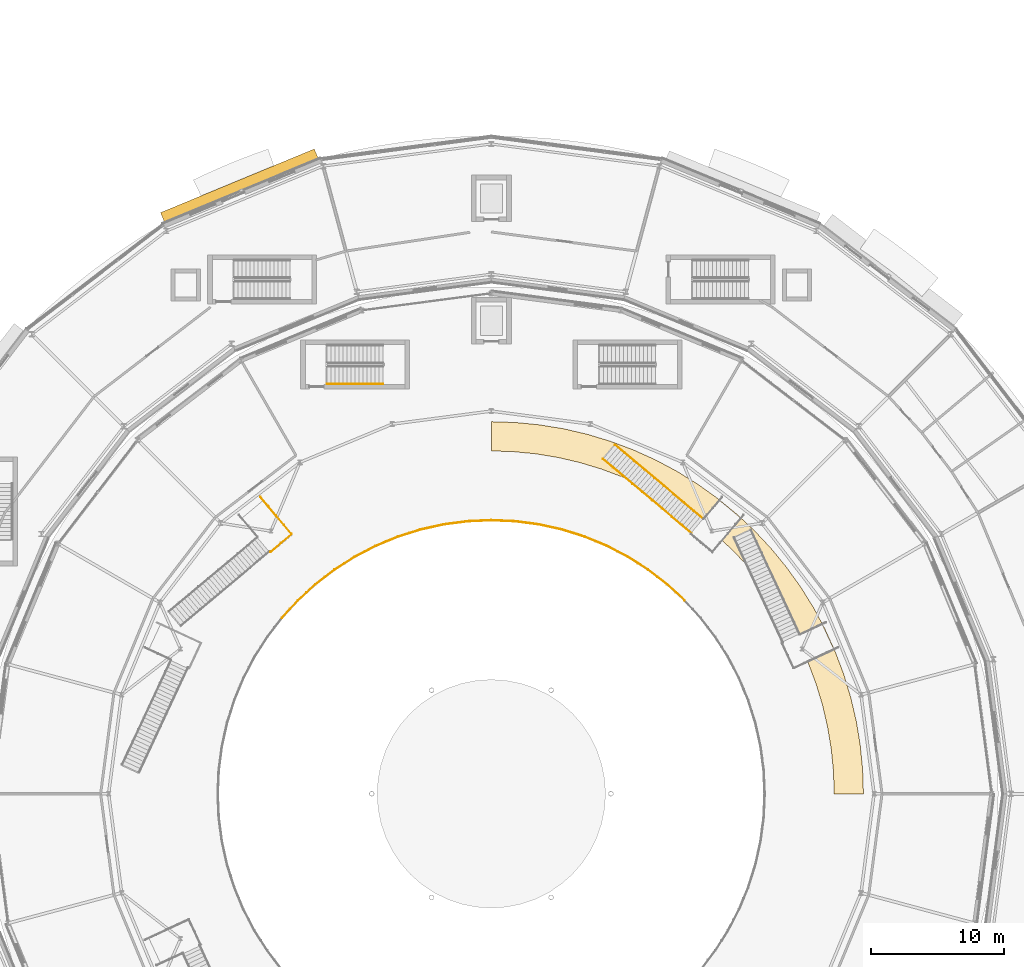
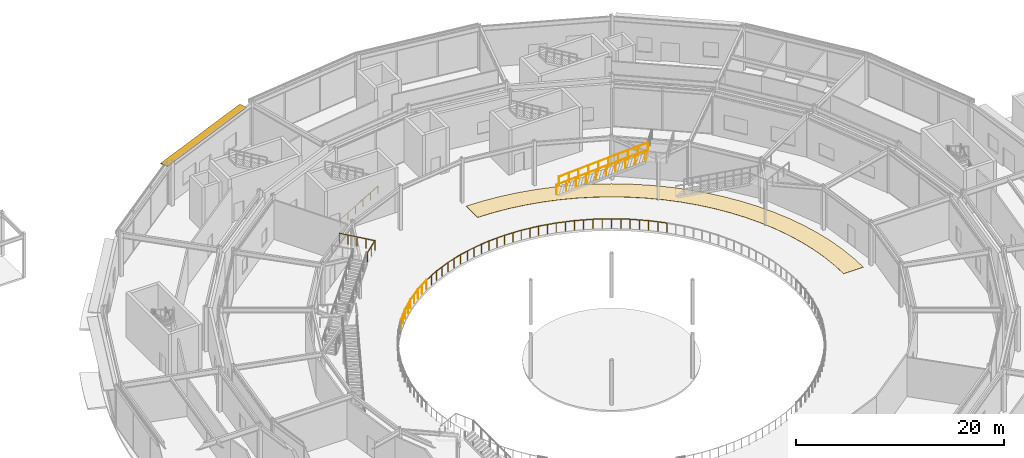
# One storey, part 158 of 168: 23 railings, 1 covering, 1 shading device.
"""IFC4 building model written with IfcOpenShell, lengths in metres."""

from ifc_helpers import new_model, si_unit, direction, frame, origin, origin_2d, place, context, subcontext, project, spatial, polyline, rectangle, circle, outline, extrude, material, layer, layer_set, type_object, element, save


model = new_model("IFC4")

# Units and contexts
model_context = context("Model", 3, precision=1e-05, world=origin(), true_north=direction((0.0, 1.0)))
body_context = subcontext(model_context, "Body", "Model", "MODEL_VIEW")
ifc_project = project(units=[si_unit("LENGTHUNIT", "METRE"), si_unit("AREAUNIT", "SQUARE_METRE"), si_unit("VOLUMEUNIT", "CUBIC_METRE"), si_unit("PLANEANGLEUNIT", "RADIAN"), si_unit("MASSUNIT", "GRAM", prefix="KILO")], contexts=[model_context])

# Site, building, storey
site_placement = place(None, origin())
site = spatial("IfcSite", under=ifc_project, at=site_placement, CompositionType="ELEMENT")
building_placement = place(site_placement, origin())
building = spatial("IfcBuilding", under=site, at=building_placement, Name="Almandine Court Research Institute", CompositionType="ELEMENT")
storey_placement = place(building_placement, origin())
storey = spatial("IfcBuildingStorey", under=building, at=storey_placement, Name="L00", CompositionType="ELEMENT", Elevation=0.0)

# Covering
ifc_material_1 = material(Name="Honed Andean Basalt Atrium Stone Flooring", Category="masonry")
ifc_layer_1 = layer(ifc_material_1, 0.02001953125)
ifc_layer_set_1 = layer_set([ifc_layer_1], Name="Honed Andean Basalt Atrium Stone Flooring")
covering_type = type_object("IfcCoveringType", Name="Cov-FLR-STONE", PredefinedType="FLOORING", material=ifc_layer_set_1)
covering_placement = place(storey_placement, origin())
element("IfcCovering", 1, at=covering_placement, inside=storey, type_object=covering_type, Name="L00 Atrium Promenade Basalt Stone Flooring", PredefinedType="FLOORING", context=body_context, shape_type="SweptSolid", body=[
    extrude(outline(polyline([(115.0, 56.0), (114.93994140625, 57.8310546875), (114.760009765625, 59.655029296875), (114.4619140625, 61.462890625), (114.0458984375, 63.2470703125), (113.513916015625, 65.0), (112.868896484375, 66.715087890625), (112.112060546875, 68.384033203125), (111.2490234375, 70.0), (110.281005859375, 71.555908203125), (109.214111328125, 73.044921875), (108.052001953125, 74.4619140625), (106.799072265625, 75.799072265625), (105.4619140625, 77.052001953125), (104.044921875, 78.214111328125), (102.555908203125, 79.281005859375), (101.0, 80.2490234375), (99.384033203125, 81.112060546875), (97.715087890625, 81.868896484375), (96.0, 82.513916015625), (94.2470703125, 83.0458984375), (92.462890625, 83.4619140625), (90.655029296875, 83.760009765625), (88.8310546875, 83.93994140625), (87.0, 84.0), (87.0, 81.800048828125), (88.68701171875, 81.7451171875), (90.367919921875, 81.5791015625), (92.032958984375, 81.303955078125), (93.677978515625, 80.9208984375), (95.29296875, 80.430908203125), (96.873046875, 79.8359375), (98.410888671875, 79.138916015625), (99.89990234375, 78.343017578125), (101.333984375, 77.451904296875), (102.7060546875, 76.468994140625), (104.010986328125, 75.39697265625), (105.242919921875, 74.242919921875), (106.39697265625, 73.010986328125), (107.468994140625, 71.7060546875), (108.451904296875, 70.333984375), (109.343017578125, 68.89990234375), (110.138916015625, 67.410888671875), (110.8359375, 65.873046875), (111.430908203125, 64.29296875), (111.9208984375, 62.677978515625), (112.303955078125, 61.032958984375), (112.5791015625, 59.367919921875), (112.7451171875, 57.68701171875), (112.800048828125, 56.0), (115.0, 56.0)])), origin(), (0.0, 0.0, 1.0), 0.02001953125),
])

# Railings
ifc_material_2 = material(Name="Powder-Coated Steel Stair and Atrium Balustrade", Category="steel")
railing_type_1 = type_object("IfcRailingType", Name="Rail-GUARD-INT", PredefinedType="BALUSTRADE", material=ifc_material_2)
railing_1_placement = place(storey_placement, frame((95.407958984375, 81.18896484375, 0.175048828125)))
element("IfcRailing", 2, at=railing_1_placement, inside=storey, type_object=railing_type_1, Name="L00 ST-AT-02 Flight Guard IN", PredefinedType="BALUSTRADE", context=body_context, shape_type="SweptSolid", body=[
    extrude(circle(Radius=0.02392578125, at=origin_2d()), frame((0.0, 0.0, 1.09619140625), z_axis=(0.66169197535, -0.555263789864, 0.503831175517), x_axis=(0.642813626656, 0.766022611537, 0.0)), (0.0, 0.0, 1.0), 10.07275390625),
    extrude(circle(Radius=0.02099609375, at=origin_2d()), origin(), (0.0, 0.0, 1.0), 1.072021484375),
    extrude(circle(Radius=0.02099609375, at=origin_2d()), frame((0.740478515625, -0.621337890625, 0.56396484375)), (0.0, 0.0, 1.0), 1.072021484375),
    extrude(circle(Radius=0.02099609375, at=origin_2d()), frame((1.481201171875, -1.242919921875, 1.127685546875)), (0.0, 0.0, 1.0), 1.072021484375),
    extrude(circle(Radius=0.02099609375, at=origin_2d()), frame((2.2216796875, -1.8642578125, 1.691650390625)), (0.0, 0.0, 1.0), 1.072021484375),
    extrude(circle(Radius=0.02099609375, at=origin_2d()), frame((2.962158203125, -2.48583984375, 2.255615234375)), (0.0, 0.0, 1.0), 1.072021484375),
    extrude(circle(Radius=0.02099609375, at=origin_2d()), frame((3.702880859375, -3.107177734375, 2.8193359375)), (0.0, 0.0, 1.0), 1.072021484375),
    extrude(circle(Radius=0.02099609375, at=origin_2d()), frame((4.443359375, -3.728759765625, 3.38330078125)), (0.0, 0.0, 1.0), 1.072021484375),
    extrude(circle(Radius=0.02099609375, at=origin_2d()), frame((5.183837890625, -4.35009765625, 3.947265625)), (0.0, 0.0, 1.0), 1.072021484375),
    extrude(circle(Radius=0.02099609375, at=origin_2d()), frame((5.924560546875, -4.9716796875, 4.510986328125)), (0.0, 0.0, 1.0), 1.072021484375),
    extrude(circle(Radius=0.02099609375, at=origin_2d()), frame((6.6650390625, -5.593017578125, 5.074951171875)), (0.0, 0.0, 1.0), 1.072021484375),
])
railing_2_placement = place(storey_placement, frame((96.30810546875, 82.260986328125, 0.175048828125)))
element("IfcRailing", 3, at=railing_2_placement, inside=storey, type_object=railing_type_1, Name="L00 ST-AT-02 Flight Guard OUT", PredefinedType="BALUSTRADE", context=body_context, shape_type="SweptSolid", body=[
    extrude(circle(Radius=0.02392578125, at=origin_2d()), frame((0.0, 0.0, 1.09619140625), z_axis=(0.661659462093, -0.555241252216, 0.503898708135), x_axis=(0.642816850874, 0.766019905898, 0.0)), (0.0, 0.0, 1.0), 10.0712890625),
    extrude(circle(Radius=0.02099609375, at=origin_2d()), origin(), (0.0, 0.0, 1.0), 1.072021484375),
    extrude(circle(Radius=0.02099609375, at=origin_2d()), frame((0.740478515625, -0.621337890625, 0.56396484375)), (0.0, 0.0, 1.0), 1.072021484375),
    extrude(circle(Radius=0.02099609375, at=origin_2d()), frame((1.48095703125, -1.24267578125, 1.127685546875)), (0.0, 0.0, 1.0), 1.072021484375),
    extrude(circle(Radius=0.02099609375, at=origin_2d()), frame((2.22119140625, -1.864013671875, 1.691650390625)), (0.0, 0.0, 1.0), 1.072021484375),
    extrude(circle(Radius=0.02099609375, at=origin_2d()), frame((2.961669921875, -2.4853515625, 2.255615234375)), (0.0, 0.0, 1.0), 1.072021484375),
    extrude(circle(Radius=0.02099609375, at=origin_2d()), frame((3.7021484375, -3.106689453125, 2.8193359375)), (0.0, 0.0, 1.0), 1.072021484375),
    extrude(circle(Radius=0.02099609375, at=origin_2d()), frame((4.442626953125, -3.72802734375, 3.38330078125)), (0.0, 0.0, 1.0), 1.072021484375),
    extrude(circle(Radius=0.02099609375, at=origin_2d()), frame((5.182861328125, -4.349365234375, 3.947265625)), (0.0, 0.0, 1.0), 1.072021484375),
    extrude(circle(Radius=0.02099609375, at=origin_2d()), frame((5.92333984375, -4.970703125, 4.510986328125)), (0.0, 0.0, 1.0), 1.072021484375),
    extrude(circle(Radius=0.02099609375, at=origin_2d()), frame((6.663818359375, -5.592041015625, 5.074951171875)), (0.0, 0.0, 1.0), 1.072021484375),
])
railing_3_placement = place(storey_placement, frame((70.3701171875, 74.18505859375, 5.25)))
element("IfcRailing", 4, at=railing_3_placement, inside=storey, type_object=railing_type_1, Name="L00 ST-AT-03 Landing Outer Wrap Guard", PredefinedType="BALUSTRADE", context=body_context, shape_type="SweptSolid", body=[
    extrude(circle(Radius=0.02392578125, at=origin_2d()), frame((0.0, 0.0, 1.09619140625), z_axis=(0.766082597261, 0.64274213661, 0.0), x_axis=(-0.64274213661, 0.766082597261, 0.0)), (0.0, 0.0, 1.0), 2.10009765625),
    extrude(circle(Radius=0.02392578125, at=origin_2d()), frame((1.60888671875, 1.349853515625, 1.09619140625), z_axis=(-0.642791587451, 0.766041105361, 0.0), x_axis=(-0.766041105361, -0.642791587451, 0.0)), (0.0, 0.0, 1.0), 3.66064453125),
    extrude(circle(Radius=0.02099609375, at=origin_2d()), origin(), (0.0, 0.0, 1.0), 1.072021484375),
    extrude(circle(Radius=0.02099609375, at=origin_2d()), frame((0.804443359375, 0.6748046875, 0.0)), (0.0, 0.0, 1.0), 1.072021484375),
    extrude(circle(Radius=0.02099609375, at=origin_2d()), frame((1.60888671875, 1.349853515625, 0.0)), (0.0, 0.0, 1.0), 1.072021484375),
    extrude(circle(Radius=0.02099609375, at=origin_2d()), frame((1.0205078125, 2.05078125, 0.0)), (0.0, 0.0, 1.0), 1.072021484375),
    extrude(circle(Radius=0.02099609375, at=origin_2d()), frame((0.432373046875, 2.751953125, 0.0)), (0.0, 0.0, 1.0), 1.072021484375),
    extrude(circle(Radius=0.02099609375, at=origin_2d()), frame((-0.15576171875, 3.453125, 0.0)), (0.0, 0.0, 1.0), 1.072021484375),
    extrude(circle(Radius=0.02099609375, at=origin_2d()), frame((-0.744140625, 4.154052734375, 0.0)), (0.0, 0.0, 1.0), 1.072021484375),
])
railing_4_placement = place(storey_placement, frame((101.552001953125, 70.552001953125, 0.0)))
element("IfcRailing", 5, at=railing_4_placement, inside=storey, type_object=railing_type_1, Name="L00 Central Hauz Rainwater Court Balustrade 10", PredefinedType="BALUSTRADE", context=body_context, shape_type="SweptSolid", body=[
    extrude(circle(Radius=0.02392578125, at=origin_2d()), frame((0.0, 0.0, 1.09619140625), z_axis=(-0.737114614955, 0.675767744436, 0.0), x_axis=(-0.675767744436, -0.737114614955, 0.0)), (0.0, 0.0, 1.0), 1.794921875),
    extrude(circle(Radius=0.02099609375, at=origin_2d()), origin(), (0.0, 0.0, 1.0), 1.072021484375),
    extrude(circle(Radius=0.02099609375, at=origin_2d()), frame((-0.66162109375, 0.6064453125, 0.0)), (0.0, 0.0, 1.0), 1.072021484375),
    extrude(circle(Radius=0.02099609375, at=origin_2d()), frame((-1.322998046875, 1.212890625, 0.0)), (0.0, 0.0, 1.0), 1.072021484375),
])
railing_5_placement = place(storey_placement, frame((100.22900390625, 71.764892578125, 0.0)))
element("IfcRailing", 6, at=railing_5_placement, inside=storey, type_object=railing_type_1, Name="L00 Central Hauz Rainwater Court Balustrade 11", PredefinedType="BALUSTRADE", context=body_context, shape_type="SweptSolid", body=[
    extrude(circle(Radius=0.02392578125, at=origin_2d()), frame((0.0, 0.0, 1.09619140625), z_axis=(-0.793477253487, 0.608599908148, 0.0), x_axis=(-0.608599908148, -0.793477253487, 0.0)), (0.0, 0.0, 1.0), 1.7958984375),
    extrude(circle(Radius=0.02099609375, at=origin_2d()), origin(), (0.0, 0.0, 1.0), 1.072021484375),
    extrude(circle(Radius=0.02099609375, at=origin_2d()), frame((-0.71240234375, 0.54638671875, 0.0)), (0.0, 0.0, 1.0), 1.072021484375),
    extrude(circle(Radius=0.02099609375, at=origin_2d()), frame((-1.425048828125, 1.093017578125, 0.0)), (0.0, 0.0, 1.0), 1.072021484375),
])
railing_6_placement = place(storey_placement, frame((98.803955078125, 72.85791015625, 0.0)))
element("IfcRailing", 7, at=railing_6_placement, inside=storey, type_object=railing_type_1, Name="L00 Central Hauz Rainwater Court Balustrade 12", PredefinedType="BALUSTRADE", context=body_context, shape_type="SweptSolid", body=[
    extrude(circle(Radius=0.02392578125, at=origin_2d()), frame((0.0, 0.0, 1.09619140625), z_axis=(-0.843235673336, 0.537544043976, 0.0), x_axis=(-0.537544043976, -0.843235673336, 0.0)), (0.0, 0.0, 1.0), 1.79541015625),
    extrude(circle(Radius=0.02099609375, at=origin_2d()), origin(), (0.0, 0.0, 1.0), 1.072021484375),
    extrude(circle(Radius=0.02099609375, at=origin_2d()), frame((-0.7568359375, 0.482421875, 0.0)), (0.0, 0.0, 1.0), 1.072021484375),
    extrude(circle(Radius=0.02099609375, at=origin_2d()), frame((-1.513916015625, 0.965087890625, 0.0)), (0.0, 0.0, 1.0), 1.072021484375),
])
railing_7_placement = place(storey_placement, frame((97.2900390625, 73.822998046875, 0.0)))
element("IfcRailing", 8, at=railing_7_placement, inside=storey, type_object=railing_type_1, Name="L00 Central Hauz Rainwater Court Balustrade 13", PredefinedType="BALUSTRADE", context=body_context, shape_type="SweptSolid", body=[
    extrude(circle(Radius=0.02392578125, at=origin_2d()), frame((0.0, 0.0, 1.09619140625), z_axis=(-0.887049806538, 0.461673738391, 0.0), x_axis=(-0.461673738391, -0.887049806538, 0.0)), (0.0, 0.0, 1.0), 1.7958984375),
    extrude(circle(Radius=0.02099609375, at=origin_2d()), origin(), (0.0, 0.0, 1.0), 1.072021484375),
    extrude(circle(Radius=0.02099609375, at=origin_2d()), frame((-0.79638671875, 0.41455078125, 0.0)), (0.0, 0.0, 1.0), 1.072021484375),
    extrude(circle(Radius=0.02099609375, at=origin_2d()), frame((-1.593017578125, 0.8291015625, 0.0)), (0.0, 0.0, 1.0), 1.072021484375),
])
railing_8_placement = place(storey_placement, frame((95.697021484375, 74.652099609375, 0.0)))
element("IfcRailing", 9, at=railing_8_placement, inside=storey, type_object=railing_type_1, Name="L00 Central Hauz Rainwater Court Balustrade 14", PredefinedType="BALUSTRADE", context=body_context, shape_type="SweptSolid", body=[
    extrude(circle(Radius=0.02392578125, at=origin_2d()), frame((0.0, 0.0, 1.09619140625), z_axis=(-0.923827786903, 0.382808333433, 0.0), x_axis=(-0.382808333433, -0.923827786903, 0.0)), (0.0, 0.0, 1.0), 1.794677734375),
    extrude(circle(Radius=0.02099609375, at=origin_2d()), origin(), (0.0, 0.0, 1.0), 1.072021484375),
    extrude(circle(Radius=0.02099609375, at=origin_2d()), frame((-0.8291015625, 0.343505859375, 0.0)), (0.0, 0.0, 1.0), 1.072021484375),
    extrude(circle(Radius=0.02099609375, at=origin_2d()), frame((-1.657958984375, 0.68701171875, 0.0)), (0.0, 0.0, 1.0), 1.072021484375),
])
railing_9_placement = place(storey_placement, frame((94.0390625, 75.339111328125, 0.0)))
element("IfcRailing", 10, at=railing_9_placement, inside=storey, type_object=railing_type_1, Name="L00 Central Hauz Rainwater Court Balustrade 15", PredefinedType="BALUSTRADE", context=body_context, shape_type="SweptSolid", body=[
    extrude(circle(Radius=0.02392578125, at=origin_2d()), frame((0.0, 0.0, 1.09619140625), z_axis=(-0.953773519019, 0.300526328994, 0.0), x_axis=(-0.300526328994, -0.953773519019, 0.0)), (0.0, 0.0, 1.0), 1.796142578125),
    extrude(circle(Radius=0.02099609375, at=origin_2d()), origin(), (0.0, 0.0, 1.0), 1.072021484375),
    extrude(circle(Radius=0.02099609375, at=origin_2d()), frame((-0.8564453125, 0.27001953125, 0.0)), (0.0, 0.0, 1.0), 1.072021484375),
    extrude(circle(Radius=0.02099609375, at=origin_2d()), frame((-1.713134765625, 0.539794921875, 0.0)), (0.0, 0.0, 1.0), 1.072021484375),
])
railing_10_placement = place(storey_placement, frame((92.325927734375, 75.87890625, 0.0)))
element("IfcRailing", 11, at=railing_10_placement, inside=storey, type_object=railing_type_1, Name="L00 Central Hauz Rainwater Court Balustrade 16", PredefinedType="BALUSTRADE", context=body_context, shape_type="SweptSolid", body=[
    extrude(circle(Radius=0.02392578125, at=origin_2d()), frame((0.0, 0.0, 1.09619140625), z_axis=(-0.976321325748, 0.21632537736, 0.0), x_axis=(-0.21632537736, -0.976321325748, 0.0)), (0.0, 0.0, 1.0), 1.79443359375),
    extrude(circle(Radius=0.02099609375, at=origin_2d()), origin(), (0.0, 0.0, 1.0), 1.072021484375),
    extrude(circle(Radius=0.02099609375, at=origin_2d()), frame((-0.8759765625, 0.194091796875, 0.0)), (0.0, 0.0, 1.0), 1.072021484375),
    extrude(circle(Radius=0.02099609375, at=origin_2d()), frame((-1.751953125, 0.38818359375, 0.0)), (0.0, 0.0, 1.0), 1.072021484375),
])
railing_11_placement = place(storey_placement, frame((90.573974609375, 76.26708984375, 0.0)))
element("IfcRailing", 12, at=railing_11_placement, inside=storey, type_object=railing_type_1, Name="L00 Central Hauz Rainwater Court Balustrade 17", PredefinedType="BALUSTRADE", context=body_context, shape_type="SweptSolid", body=[
    extrude(circle(Radius=0.02392578125, at=origin_2d()), frame((0.0, 0.0, 1.09619140625), z_axis=(-0.991407486945, 0.130809765799, 0.0), x_axis=(-0.130809765799, -0.991407486945, 0.0)), (0.0, 0.0, 1.0), 1.79541015625),
    extrude(circle(Radius=0.02099609375, at=origin_2d()), origin(), (0.0, 0.0, 1.0), 1.072021484375),
    extrude(circle(Radius=0.02099609375, at=origin_2d()), frame((-0.89013671875, 0.117431640625, 0.0)), (0.0, 0.0, 1.0), 1.072021484375),
    extrude(circle(Radius=0.02099609375, at=origin_2d()), frame((-1.780029296875, 0.23486328125, 0.0)), (0.0, 0.0, 1.0), 1.072021484375),
])
railing_12_placement = place(storey_placement, frame((88.7939453125, 76.501953125, 0.0)))
element("IfcRailing", 13, at=railing_12_placement, inside=storey, type_object=railing_type_1, Name="L00 Central Hauz Rainwater Court Balustrade 18", PredefinedType="BALUSTRADE", context=body_context, shape_type="SweptSolid", body=[
    extrude(circle(Radius=0.02392578125, at=origin_2d()), frame((0.0, 0.0, 1.09619140625), z_axis=(-0.999053077448, 0.043508027325, 0.0), x_axis=(-0.043508027325, -0.999053077448, 0.0)), (0.0, 0.0, 1.0), 1.795654296875),
    extrude(circle(Radius=0.02099609375, at=origin_2d()), origin(), (0.0, 0.0, 1.0), 1.072021484375),
    extrude(circle(Radius=0.02099609375, at=origin_2d()), frame((-0.89697265625, 0.0390625, 0.0)), (0.0, 0.0, 1.0), 1.072021484375),
    extrude(circle(Radius=0.02099609375, at=origin_2d()), frame((-1.7939453125, 0.078125, 0.0)), (0.0, 0.0, 1.0), 1.072021484375),
])
railing_13_placement = place(storey_placement, frame((87.0, 76.580078125, 0.0)))
element("IfcRailing", 14, at=railing_13_placement, inside=storey, type_object=railing_type_1, Name="L00 Central Hauz Rainwater Court Balustrade 19", PredefinedType="BALUSTRADE", context=body_context, shape_type="SweptSolid", body=[
    extrude(circle(Radius=0.02392578125, at=origin_2d()), frame((0.0, 0.0, 1.09619140625), z_axis=(-0.999053077448, -0.043508027325, 0.0), x_axis=(0.043508027325, -0.999053077448, 0.0)), (0.0, 0.0, 1.0), 1.795654296875),
    extrude(circle(Radius=0.02099609375, at=origin_2d()), origin(), (0.0, 0.0, 1.0), 1.072021484375),
    extrude(circle(Radius=0.02099609375, at=origin_2d()), frame((-0.89697265625, -0.0390625, 0.0)), (0.0, 0.0, 1.0), 1.072021484375),
    extrude(circle(Radius=0.02099609375, at=origin_2d()), frame((-1.7939453125, -0.078125, 0.0)), (0.0, 0.0, 1.0), 1.072021484375),
])
railing_14_placement = place(storey_placement, frame((85.2060546875, 76.501953125, 0.0)))
element("IfcRailing", 15, at=railing_14_placement, inside=storey, type_object=railing_type_1, Name="L00 Central Hauz Rainwater Court Balustrade 20", PredefinedType="BALUSTRADE", context=body_context, shape_type="SweptSolid", body=[
    extrude(circle(Radius=0.02392578125, at=origin_2d()), frame((0.0, 0.0, 1.09619140625), z_axis=(-0.991407486945, -0.130809765799, 0.0), x_axis=(0.130809765799, -0.991407486945, 0.0)), (0.0, 0.0, 1.0), 1.79541015625),
    extrude(circle(Radius=0.02099609375, at=origin_2d()), origin(), (0.0, 0.0, 1.0), 1.072021484375),
    extrude(circle(Radius=0.02099609375, at=origin_2d()), frame((-0.89013671875, -0.117431640625, 0.0)), (0.0, 0.0, 1.0), 1.072021484375),
    extrude(circle(Radius=0.02099609375, at=origin_2d()), frame((-1.780029296875, -0.23486328125, 0.0)), (0.0, 0.0, 1.0), 1.072021484375),
])
railing_15_placement = place(storey_placement, frame((83.426025390625, 76.26708984375, 0.0)))
element("IfcRailing", 16, at=railing_15_placement, inside=storey, type_object=railing_type_1, Name="L00 Central Hauz Rainwater Court Balustrade 21", PredefinedType="BALUSTRADE", context=body_context, shape_type="SweptSolid", body=[
    extrude(circle(Radius=0.02392578125, at=origin_2d()), frame((0.0, 0.0, 1.09619140625), z_axis=(-0.976321325748, -0.21632537736, 0.0), x_axis=(0.21632537736, -0.976321325748, 0.0)), (0.0, 0.0, 1.0), 1.79443359375),
    extrude(circle(Radius=0.02099609375, at=origin_2d()), origin(), (0.0, 0.0, 1.0), 1.072021484375),
    extrude(circle(Radius=0.02099609375, at=origin_2d()), frame((-0.8759765625, -0.194091796875, 0.0)), (0.0, 0.0, 1.0), 1.072021484375),
    extrude(circle(Radius=0.02099609375, at=origin_2d()), frame((-1.751953125, -0.38818359375, 0.0)), (0.0, 0.0, 1.0), 1.072021484375),
])
railing_16_placement = place(storey_placement, frame((81.674072265625, 75.87890625, 0.0)))
element("IfcRailing", 17, at=railing_16_placement, inside=storey, type_object=railing_type_1, Name="L00 Central Hauz Rainwater Court Balustrade 22", PredefinedType="BALUSTRADE", context=body_context, shape_type="SweptSolid", body=[
    extrude(circle(Radius=0.02392578125, at=origin_2d()), frame((0.0, 0.0, 1.09619140625), z_axis=(-0.953773519019, -0.300526328994, 0.0), x_axis=(0.300526328994, -0.953773519019, 0.0)), (0.0, 0.0, 1.0), 1.796142578125),
    extrude(circle(Radius=0.02099609375, at=origin_2d()), origin(), (0.0, 0.0, 1.0), 1.072021484375),
    extrude(circle(Radius=0.02099609375, at=origin_2d()), frame((-0.8564453125, -0.27001953125, 0.0)), (0.0, 0.0, 1.0), 1.072021484375),
    extrude(circle(Radius=0.02099609375, at=origin_2d()), frame((-1.713134765625, -0.539794921875, 0.0)), (0.0, 0.0, 1.0), 1.072021484375),
])
railing_17_placement = place(storey_placement, frame((79.9609375, 75.339111328125, 0.0)))
element("IfcRailing", 18, at=railing_17_placement, inside=storey, type_object=railing_type_1, Name="L00 Central Hauz Rainwater Court Balustrade 23", PredefinedType="BALUSTRADE", context=body_context, shape_type="SweptSolid", body=[
    extrude(circle(Radius=0.02392578125, at=origin_2d()), frame((0.0, 0.0, 1.09619140625), z_axis=(-0.923827786903, -0.382808333433, 0.0), x_axis=(0.382808333433, -0.923827786903, 0.0)), (0.0, 0.0, 1.0), 1.794677734375),
    extrude(circle(Radius=0.02099609375, at=origin_2d()), origin(), (0.0, 0.0, 1.0), 1.072021484375),
    extrude(circle(Radius=0.02099609375, at=origin_2d()), frame((-0.8291015625, -0.343505859375, 0.0)), (0.0, 0.0, 1.0), 1.072021484375),
    extrude(circle(Radius=0.02099609375, at=origin_2d()), frame((-1.657958984375, -0.68701171875, 0.0)), (0.0, 0.0, 1.0), 1.072021484375),
])
railing_18_placement = place(storey_placement, frame((78.302978515625, 74.652099609375, 0.0)))
element("IfcRailing", 19, at=railing_18_placement, inside=storey, type_object=railing_type_1, Name="L00 Central Hauz Rainwater Court Balustrade 24", PredefinedType="BALUSTRADE", context=body_context, shape_type="SweptSolid", body=[
    extrude(circle(Radius=0.02392578125, at=origin_2d()), frame((0.0, 0.0, 1.09619140625), z_axis=(-0.887049806538, -0.461673738391, 0.0), x_axis=(0.461673738391, -0.887049806538, 0.0)), (0.0, 0.0, 1.0), 1.7958984375),
    extrude(circle(Radius=0.02099609375, at=origin_2d()), origin(), (0.0, 0.0, 1.0), 1.072021484375),
    extrude(circle(Radius=0.02099609375, at=origin_2d()), frame((-0.79638671875, -0.41455078125, 0.0)), (0.0, 0.0, 1.0), 1.072021484375),
    extrude(circle(Radius=0.02099609375, at=origin_2d()), frame((-1.593017578125, -0.8291015625, 0.0)), (0.0, 0.0, 1.0), 1.072021484375),
])
railing_19_placement = place(storey_placement, frame((76.7099609375, 73.822998046875, 0.0)))
element("IfcRailing", 20, at=railing_19_placement, inside=storey, type_object=railing_type_1, Name="L00 Central Hauz Rainwater Court Balustrade 25", PredefinedType="BALUSTRADE", context=body_context, shape_type="SweptSolid", body=[
    extrude(circle(Radius=0.02392578125, at=origin_2d()), frame((0.0, 0.0, 1.09619140625), z_axis=(-0.843235673336, -0.537544043976, 0.0), x_axis=(0.537544043976, -0.843235673336, 0.0)), (0.0, 0.0, 1.0), 1.79541015625),
    extrude(circle(Radius=0.02099609375, at=origin_2d()), origin(), (0.0, 0.0, 1.0), 1.072021484375),
    extrude(circle(Radius=0.02099609375, at=origin_2d()), frame((-0.7568359375, -0.482421875, 0.0)), (0.0, 0.0, 1.0), 1.072021484375),
    extrude(circle(Radius=0.02099609375, at=origin_2d()), frame((-1.513916015625, -0.965087890625, 0.0)), (0.0, 0.0, 1.0), 1.072021484375),
])
railing_20_placement = place(storey_placement, frame((75.196044921875, 72.85791015625, 0.0)))
element("IfcRailing", 21, at=railing_20_placement, inside=storey, type_object=railing_type_1, Name="L00 Central Hauz Rainwater Court Balustrade 26", PredefinedType="BALUSTRADE", context=body_context, shape_type="SweptSolid", body=[
    extrude(circle(Radius=0.02392578125, at=origin_2d()), frame((0.0, 0.0, 1.09619140625), z_axis=(-0.793477253487, -0.608599908148, 0.0), x_axis=(0.608599908148, -0.793477253487, 0.0)), (0.0, 0.0, 1.0), 1.7958984375),
    extrude(circle(Radius=0.02099609375, at=origin_2d()), origin(), (0.0, 0.0, 1.0), 1.072021484375),
    extrude(circle(Radius=0.02099609375, at=origin_2d()), frame((-0.71240234375, -0.54638671875, 0.0)), (0.0, 0.0, 1.0), 1.072021484375),
    extrude(circle(Radius=0.02099609375, at=origin_2d()), frame((-1.425048828125, -1.093017578125, 0.0)), (0.0, 0.0, 1.0), 1.072021484375),
])
railing_21_placement = place(storey_placement, frame((73.77099609375, 71.764892578125, 0.0)))
element("IfcRailing", 22, at=railing_21_placement, inside=storey, type_object=railing_type_1, Name="L00 Central Hauz Rainwater Court Balustrade 27", PredefinedType="BALUSTRADE", context=body_context, shape_type="SweptSolid", body=[
    extrude(circle(Radius=0.02392578125, at=origin_2d()), frame((0.0, 0.0, 1.09619140625), z_axis=(-0.737114614955, -0.675767744436, 0.0), x_axis=(0.675767744436, -0.737114614955, 0.0)), (0.0, 0.0, 1.0), 1.794921875),
    extrude(circle(Radius=0.02099609375, at=origin_2d()), origin(), (0.0, 0.0, 1.0), 1.072021484375),
    extrude(circle(Radius=0.02099609375, at=origin_2d()), frame((-0.66162109375, -0.6064453125, 0.0)), (0.0, 0.0, 1.0), 1.072021484375),
    extrude(circle(Radius=0.02099609375, at=origin_2d()), frame((-1.322998046875, -1.212890625, 0.0)), (0.0, 0.0, 1.0), 1.072021484375),
])
railing_22_placement = place(storey_placement, frame((72.447998046875, 70.552001953125, 0.0)))
element("IfcRailing", 23, at=railing_22_placement, inside=storey, type_object=railing_type_1, Name="L00 Central Hauz Rainwater Court Balustrade 28", PredefinedType="BALUSTRADE", context=body_context, shape_type="SweptSolid", body=[
    extrude(circle(Radius=0.02392578125, at=origin_2d()), frame((0.0, 0.0, 1.09619140625), z_axis=(-0.675767744436, -0.737114614955, 0.0), x_axis=(0.737114614955, -0.675767744436, 0.0)), (0.0, 0.0, 1.0), 1.794921875),
    extrude(circle(Radius=0.02099609375, at=origin_2d()), origin(), (0.0, 0.0, 1.0), 1.072021484375),
    extrude(circle(Radius=0.02099609375, at=origin_2d()), frame((-0.6064453125, -0.66162109375, 0.0)), (0.0, 0.0, 1.0), 1.072021484375),
    extrude(circle(Radius=0.02099609375, at=origin_2d()), frame((-1.212890625, -1.322998046875, 0.0)), (0.0, 0.0, 1.0), 1.072021484375),
])
ifc_material_3 = material(Name="Brushed Stainless Steel Wall Handrail", Category="steel")
railing_type_2 = type_object("IfcRailingType", Name="Rail-HAND-INT", PredefinedType="HANDRAIL", material=ifc_material_3)
railing_23_placement = place(storey_placement, frame((74.64990234375, 86.85009765625, 0.175048828125)))
element("IfcRailing", 24, at=railing_23_placement, inside=storey, type_object=railing_type_2, Name="L00 ST-04 stair handrail 1", PredefinedType="HANDRAIL", context=body_context, shape_type="SweptSolid", body=[
    extrude(circle(Radius=0.02392578125, at=origin_2d()), frame((0.0, 0.0, 0.8759765625), z_axis=(0.863793468915, 0.0, 0.503846050951), x_axis=(0.0, 1.0, 0.0)), (0.0, 0.0, 1.0), 4.862548828125),
    extrude(circle(Radius=0.02099609375, at=origin_2d()), origin(), (0.0, 0.0, 1.0), 0.851806640625),
    extrude(circle(Radius=0.02099609375, at=origin_2d()), frame((0.840087890625, 0.0, 0.489990234375)), (0.0, 0.0, 1.0), 0.851806640625),
    extrude(circle(Radius=0.02099609375, at=origin_2d()), frame((1.68017578125, 0.0, 0.97998046875)), (0.0, 0.0, 1.0), 0.851806640625),
    extrude(circle(Radius=0.02099609375, at=origin_2d()), frame((2.52001953125, 0.0, 1.469970703125)), (0.0, 0.0, 1.0), 0.851806640625),
    extrude(circle(Radius=0.02099609375, at=origin_2d()), frame((3.360107421875, 0.0, 1.9599609375)), (0.0, 0.0, 1.0), 0.851806640625),
    extrude(circle(Radius=0.02099609375, at=origin_2d()), frame((4.2001953125, 0.0, 2.449951171875)), (0.0, 0.0, 1.0), 0.851806640625),
])

# Shading device
ifc_material_4 = material(Name="Precast GFRC Chhajja Sunshade and Acoustic Louvre", Category="concrete")
ifc_layer_2 = layer(ifc_material_4, 0.080078125)
ifc_layer_set_2 = layer_set([ifc_layer_2], Name="Precast GFRC Chhajja Sunshade and Acoustic Louvre")
shading_device_type = type_object("IfcShadingDeviceType", Name="Shd-SD-84", PredefinedType="AWNING", material=ifc_layer_set_2)
shading_device_placement = place(storey_placement, frame((68.055908203125, 101.735107421875, 4.153076171875), z_axis=(0.0, 0.0, 1.0), x_axis=(0.923879532511, 0.382683432365, 0.0)))
element("IfcShadingDevice", 25, at=shading_device_placement, inside=storey, type_object=shading_device_type, Name="L00 Projecting Chhajja Sunshade 180", PredefinedType="AWNING", context=body_context, shape_type="SweptSolid", body=[
    extrude(rectangle(XDim=12.51904296875, YDim=0.85009765625, at=origin_2d()), origin(), (0.0, 0.0, 1.0), 0.080078125),
])

save(model, "model.ifc")
